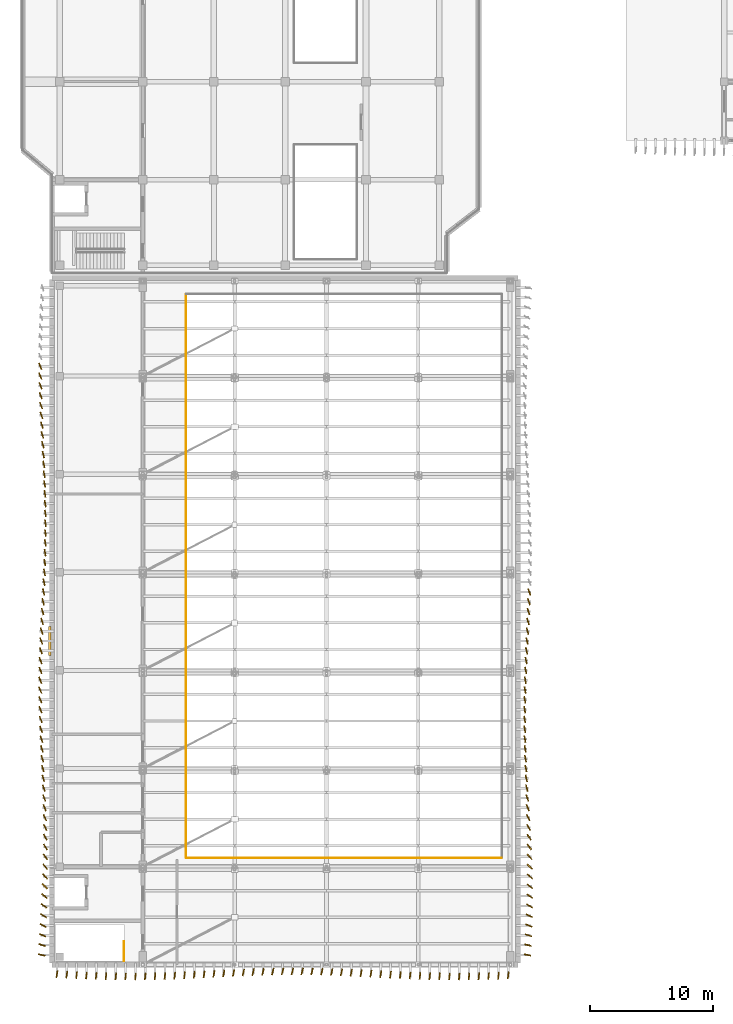
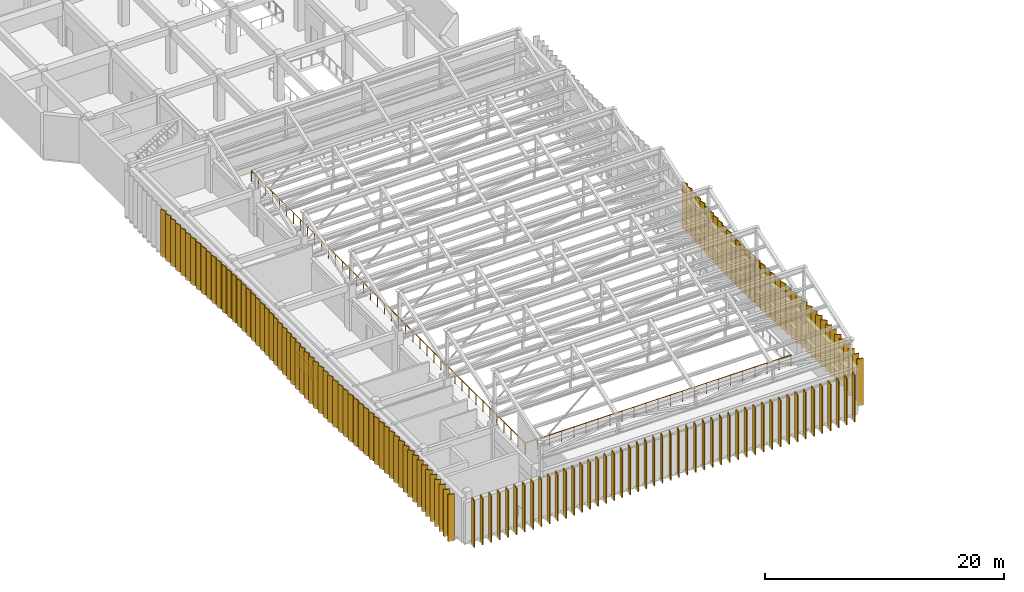
# One storey, part 65 of 76: 146 coverings, 3 railings, 1 shading device.
"""IFC4 building model written with IfcOpenShell, lengths in metres."""

from ifc_helpers import new_model, si_unit, direction, frame, origin, origin_2d, place, context, subcontext, project, spatial, rectangle, circle, extrude, material, layer, layer_set, type_object, element, save


model = new_model("IFC4")

# Units and contexts
model_context = context("Model", 3, precision=1e-05, world=origin(), true_north=direction((0.0, 1.0)))
body_context = subcontext(model_context, "Body", "Model", "MODEL_VIEW")
ifc_project = project(units=[si_unit("LENGTHUNIT", "METRE"), si_unit("AREAUNIT", "SQUARE_METRE"), si_unit("VOLUMEUNIT", "CUBIC_METRE"), si_unit("PLANEANGLEUNIT", "RADIAN"), si_unit("MASSUNIT", "GRAM", prefix="KILO")], contexts=[model_context])

# Site, building, storey
site_placement = place(None, origin())
site = spatial("IfcSite", under=ifc_project, at=site_placement, CompositionType="ELEMENT")
building_placement = place(site_placement, origin())
building = spatial("IfcBuilding", under=site, at=building_placement, Name="Cinchona Park Media Centre", CompositionType="ELEMENT")
storey_placement = place(building_placement, frame((0.0, 0.0, 15.60009765625)))
storey = spatial("IfcBuildingStorey", under=building, at=storey_placement, Name="L03", CompositionType="ELEMENT", Elevation=15.60009765625)

# Coverings
ifc_material_1 = material(Name="Anodised Storm-Resistant Aluminium Fin", Category="aluminium")
ifc_layer = layer(ifc_material_1, 0.090087890625)
ifc_layer_set = layer_set([ifc_layer], Name="Anodised Storm-Resistant Aluminium Fin")
covering_type = type_object("IfcCoveringType", Name="CLADDING-FIN01", PredefinedType="CLADDING", material=ifc_layer_set)
for number, where, z_axis, x_axis, name in (
    (1, (7.0400390625, 56.39990234375, 0.0), (0.0, 0.0, 1.0), (0.374444763601, -0.927249221629, 0.0), "Twisting Vertical Facade Fin L03"),
    (2, (7.0458984375, 55.60009765625, 0.0), (0.0, 0.0, 1.0), (0.37136783555, -0.928485826881, 0.0), "Twisting Vertical Facade Fin L03"),
    (3, (7.05908203125, 54.800048828125, 0.0), (0.0, 0.0, 1.0), (0.364389234658, -0.931246737264, 0.0), "Twisting Vertical Facade Fin L03"),
    (4, (7.0791015625, 54.0, 0.0), (0.0, 0.0, 1.0), (0.353474843779, -0.93544403083, 0.0), "Twisting Vertical Facade Fin L03"),
    (5, (7.10498046875, 53.199951171875, 0.0), (0.0, 0.0, 1.0), (0.339230517808, -0.940703277228, 0.0), "Twisting Vertical Facade Fin L03"),
    (6, (7.135986328125, 52.39990234375, 0.0), (0.0, 0.0, 1.0), (0.321935232675, -0.946761694389, 0.0), "Twisting Vertical Facade Fin L03"),
    (7, (7.172119140625, 51.60009765625, 0.0), (0.0, 0.0, 1.0), (0.30236989075, -0.953190667793, 0.0), "Twisting Vertical Facade Fin L03"),
    (8, (7.2099609375, 50.800048828125, 0.0), (0.0, 0.0, 1.0), (0.281001727065, -0.959707262339, 0.0), "Twisting Vertical Facade Fin L03"),
    (9, (7.25, 50.0, 0.0), (0.0, 0.0, 1.0), (0.258819045103, -0.965925826289, 0.0), "Twisting Vertical Facade Fin L03"),
    (10, (7.2900390625, 49.199951171875, 0.0), (0.0, 0.0, 1.0), (0.236498997024, -0.971631732915, 0.0), "Twisting Vertical Facade Fin L03"),
    (11, (7.327880859375, 48.39990234375, 0.0), (0.0, 0.0, 1.0), (0.214735327167, -0.976672278334, 0.0), "Twisting Vertical Facade Fin L03"),
    (12, (7.364013671875, 47.60009765625, 0.0), (0.0, 0.0, 1.0), (0.194576757325, -0.980887295008, 0.0), "Twisting Vertical Facade Fin L03"),
    (13, (7.39501953125, 46.800048828125, 0.0), (0.0, 0.0, 1.0), (0.176569392453, -0.984288194407, 0.0), "Twisting Vertical Facade Fin L03"),
    (14, (7.4208984375, 46.0, 0.0), (0.0, 0.0, 1.0), (0.161603821103, -0.986855716407, 0.0), "Twisting Vertical Facade Fin L03"),
    (15, (7.44091796875, 45.199951171875, 0.0), (0.0, 0.0, 1.0), (0.150053034553, -0.988677948991, 0.0), "Twisting Vertical Facade Fin L03"),
    (16, (7.4541015625, 44.39990234375, 0.0), (0.0, 0.0, 1.0), (0.142628933706, -0.989776230908, 0.0), "Twisting Vertical Facade Fin L03"),
    (17, (7.4599609375, 43.60009765625, 0.0), (0.0, 0.0, 1.0), (0.139345933222, -0.990243763371, 0.0), "Twisting Vertical Facade Fin L03"),
    (18, (7.4580078125, 42.800048828125, 0.0), (0.0, 0.0, 1.0), (0.140382837472, -0.990097297715, 0.0), "Twisting Vertical Facade Fin L03"),
    (19, (7.447998046875, 42.0, 0.0), (0.0, 0.0, 1.0), (0.145737698481, -0.989323265289, 0.0), "Twisting Vertical Facade Fin L03"),
    (20, (7.431884765625, 41.199951171875, 0.0), (0.0, 0.0, 1.0), (0.155400074643, -0.987851616793, 0.0), "Twisting Vertical Facade Fin L03"),
    (21, (7.408935546875, 40.39990234375, 0.0), (0.0, 0.0, 1.0), (0.168661414708, -0.985674047132, 0.0), "Twisting Vertical Facade Fin L03"),
    (22, (7.3798828125, 39.60009765625, 0.0), (0.0, 0.0, 1.0), (0.185152095101, -0.982709876657, 0.0), "Twisting Vertical Facade Fin L03"),
    (23, (7.345947265625, 38.800048828125, 0.0), (0.0, 0.0, 1.0), (0.204325204139, -0.978903065147, 0.0), "Twisting Vertical Facade Fin L03"),
    (24, (7.30908203125, 38.0, 0.0), (0.0, 0.0, 1.0), (0.225461202458, -0.974252147129, 0.0), "Twisting Vertical Facade Fin L03"),
    (25, (7.27001953125, 37.199951171875, 0.0), (0.0, 0.0, 1.0), (0.247506354292, -0.968886270202, 0.0), "Twisting Vertical Facade Fin L03"),
    (26, (7.22998046875, 36.39990234375, 0.0), (0.0, 0.0, 1.0), (0.270096344686, -0.962833300518, 0.0), "Twisting Vertical Facade Fin L03"),
    (27, (7.19091796875, 35.60009765625, 0.0), (0.0, 0.0, 1.0), (0.291870944669, -0.956457710334, 0.0), "Twisting Vertical Facade Fin L03"),
    (28, (7.154052734375, 34.800048828125, 0.0), (0.0, 0.0, 1.0), (0.312500715155, -0.949917524329, 0.0), "Twisting Vertical Facade Fin L03"),
    (29, (7.1201171875, 34.0, 0.0), (0.0, 0.0, 1.0), (0.331008520407, -0.943627765286, 0.0), "Twisting Vertical Facade Fin L03"),
    (30, (7.091064453125, 33.199951171875, 0.0), (0.0, 0.0, 1.0), (0.346771953791, -0.937949472021, 0.0), "Twisting Vertical Facade Fin L03"),
    (31, (7.068115234375, 32.39990234375, 0.0), (0.0, 0.0, 1.0), (0.359345396006, -0.933204632634, 0.0), "Twisting Vertical Facade Fin L03"),
    (32, (7.052001953125, 31.60009765625, 0.0), (0.0, 0.0, 1.0), (0.36844908347, -0.929647929536, 0.0), "Twisting Vertical Facade Fin L03"),
    (33, (7.0419921875, 30.800048828125, 0.0), (0.0, 0.0, 1.0), (0.373473545352, -0.927640830776, 0.0), "Twisting Vertical Facade Fin L03"),
    (34, (7.0400390625, 30.0, 0.0), (0.0, 0.0, 1.0), (0.374444763601, -0.927249221629, 0.0), "Twisting Vertical Facade Fin L03"),
    (35, (7.0458984375, 29.199951171875, 0.0), (0.0, 0.0, 1.0), (0.37136783555, -0.928485826881, 0.0), "Twisting Vertical Facade Fin L03"),
    (36, (7.05908203125, 28.39990234375, 0.0), (0.0, 0.0, 1.0), (0.364389234658, -0.931246737264, 0.0), "Twisting Vertical Facade Fin L03"),
    (37, (7.0791015625, 27.60009765625, 0.0), (0.0, 0.0, 1.0), (0.353474843779, -0.93544403083, 0.0), "Twisting Vertical Facade Fin L03"),
    (38, (7.10498046875, 26.800048828125, 0.0), (0.0, 0.0, 1.0), (0.339230517808, -0.940703277228, 0.0), "Twisting Vertical Facade Fin L03"),
    (39, (7.135986328125, 26.0, 0.0), (0.0, 0.0, 1.0), (0.321935232675, -0.946761694389, 0.0), "Twisting Vertical Facade Fin L03"),
    (40, (7.172119140625, 25.199951171875, 0.0), (0.0, 0.0, 1.0), (0.30236989075, -0.953190667793, 0.0), "Twisting Vertical Facade Fin L03"),
    (41, (7.2099609375, 24.39990234375, 0.0), (0.0, 0.0, 1.0), (0.281001727065, -0.959707262339, 0.0), "Twisting Vertical Facade Fin L03"),
    (42, (7.25, 23.60009765625, 0.0), (0.0, 0.0, 1.0), (0.258819045103, -0.965925826289, 0.0), "Twisting Vertical Facade Fin L03"),
    (43, (7.2900390625, 22.800048828125, 0.0), (0.0, 0.0, 1.0), (0.277985336053, -0.960585317887, 0.0), "Twisting Vertical Facade Fin L03"),
    (44, (7.327880859375, 22.0, 0.0), (0.0, 0.0, 1.0), (0.306692204733, -0.951808747363, 0.0), "Twisting Vertical Facade Fin L03"),
    (45, (7.364013671875, 21.199951171875, 0.0), (0.0, 0.0, 1.0), (0.336766602676, -0.941588155895, 0.0), "Twisting Vertical Facade Fin L03"),
    (46, (7.39501953125, 20.39990234375, 0.0), (0.0, 0.0, 1.0), (0.368773569362, -0.929519259908, 0.0), "Twisting Vertical Facade Fin L03"),
    (47, (7.4208984375, 19.60009765625, 0.0), (0.0, 0.0, 1.0), (0.403066169295, -0.915170838243, 0.0), "Twisting Vertical Facade Fin L03"),
    (48, (7.44091796875, 18.800048828125, 0.0), (0.0, 0.0, 1.0), (0.439939169856, -0.898027575761, 0.0), "Twisting Vertical Facade Fin L03"),
    (49, (7.4541015625, 18.0, 0.0), (0.0, 0.0, 1.0), (0.479764158979, -0.877397487892, 0.0), "Twisting Vertical Facade Fin L03"),
    (50, (7.4599609375, 17.199951171875, 0.0), (0.0, 0.0, 1.0), (0.522200905326, -0.85282249881, 0.0), "Twisting Vertical Facade Fin L03"),
    (51, (7.4580078125, 16.39990234375, 0.0), (0.0, 0.0, 1.0), (0.567125206934, -0.823631592194, 0.0), "Twisting Vertical Facade Fin L03"),
    (52, (7.447998046875, 15.60009765625, 0.0), (0.0, 0.0, 1.0), (0.613871952452, -0.789405615633, 0.0), "Twisting Vertical Facade Fin L03"),
    (53, (7.431884765625, 14.800048828125, 0.0), (0.0, 0.0, 1.0), (0.661573663187, -0.749880182547, 0.0), "Twisting Vertical Facade Fin L03"),
    (54, (7.408935546875, 14.0, 0.0), (0.0, 0.0, 1.0), (0.70944774386, -0.704758042687, 0.0), "Twisting Vertical Facade Fin L03"),
    (55, (7.3798828125, 13.199951171875, 0.0), (0.0, 0.0, 1.0), (0.756538697576, -0.653948926958, 0.0), "Twisting Vertical Facade Fin L03"),
    (56, (7.345947265625, 12.39990234375, 0.0), (0.0, 0.0, 1.0), (0.801566984871, -0.597904983058, 0.0), "Twisting Vertical Facade Fin L03"),
    (57, (7.30908203125, 11.60009765625, 0.0), (0.0, 0.0, 1.0), (0.843578947371, -0.537005176466, 0.0), "Twisting Vertical Facade Fin L03"),
    (58, (7.27001953125, 10.800048828125, 0.0), (0.0, 0.0, 1.0), (0.881550758248, -0.472089250705, 0.0), "Twisting Vertical Facade Fin L03"),
    (59, (7.22998046875, 10.0, 0.0), (0.0, 0.0, 1.0), (0.914677717139, -0.404183960308, 0.0), "Twisting Vertical Facade Fin L03"),
    (60, (7.19091796875, 9.199951171875, 0.0), (0.0, 0.0, 1.0), (0.942466581022, -0.334300379384, 0.0), "Twisting Vertical Facade Fin L03"),
    (61, (7.154052734375, 8.39990234375, 0.0), (0.0, 0.0, 1.0), (0.964603458302, -0.263704698919, 0.0), "Twisting Vertical Facade Fin L03"),
    (62, (8.39990234375, 6.830078125, 0.0), (0.0, 0.0, 1.0), (0.182578735093, 0.983191235463, 0.0), "Twisting Vertical Facade Fin L03"),
    (63, (9.199951171875, 6.791015625, 0.0), (0.0, 0.0, 1.0), (0.166596655404, 0.98602512869, 0.0), "Twisting Vertical Facade Fin L03"),
    (64, (10.0, 6.75390625, 0.0), (0.0, 0.0, 1.0), (0.151433342672, 0.98846747176, 0.0), "Twisting Vertical Facade Fin L03"),
    (65, (10.800048828125, 6.719970703125, 0.0), (0.0, 0.0, 1.0), (0.137617420457, 0.990485459553, 0.0), "Twisting Vertical Facade Fin L03"),
    (66, (11.60009765625, 6.69091796875, 0.0), (0.0, 0.0, 1.0), (0.125679539283, 0.992070891321, 0.0), "Twisting Vertical Facade Fin L03"),
    (67, (12.39990234375, 6.66796875, 0.0), (0.0, 0.0, 1.0), (0.116150698194, 0.993231602049, 0.0), "Twisting Vertical Facade Fin L03"),
    (68, (13.199951171875, 6.652099609375, 0.0), (0.0, 0.0, 1.0), (0.109213859333, 0.994018275953, 0.0), "Twisting Vertical Facade Fin L03"),
    (69, (14.0, 6.64208984375, 0.0), (0.0, 0.0, 1.0), (0.105396307434, 0.994430298402, 0.0), "Twisting Vertical Facade Fin L03"),
    (70, (14.800048828125, 6.639892578125, 0.0), (0.0, 0.0, 1.0), (0.10470203849, 0.994503636562, 0.0), "Twisting Vertical Facade Fin L03"),
    (71, (15.60009765625, 6.64599609375, 0.0), (0.0, 0.0, 1.0), (0.106958224224, 0.994263515508, 0.0), "Twisting Vertical Facade Fin L03"),
    (72, (16.39990234375, 6.658935546875, 0.0), (0.0, 0.0, 1.0), (0.112336115762, 0.99367026578, 0.0), "Twisting Vertical Facade Fin L03"),
    (73, (17.199951171875, 6.678955078125, 0.0), (0.0, 0.0, 1.0), (0.120656628871, 0.992694302346, 0.0), "Twisting Vertical Facade Fin L03"),
    (74, (18.0, 6.705078125, 0.0), (0.0, 0.0, 1.0), (0.131391341269, 0.991330578283, 0.0), "Twisting Vertical Facade Fin L03"),
    (75, (18.800048828125, 6.736083984375, 0.0), (0.0, 0.0, 1.0), (0.144356201001, 0.989525789069, 0.0), "Twisting Vertical Facade Fin L03"),
    (76, (19.60009765625, 6.77197265625, 0.0), (0.0, 0.0, 1.0), (0.158847373537, 0.987303150973, 0.0), "Twisting Vertical Facade Fin L03"),
    (77, (20.39990234375, 6.81005859375, 0.0), (0.0, 0.0, 1.0), (0.174507518327, 0.984655841422, 0.0), "Twisting Vertical Facade Fin L03"),
    (78, (21.199951171875, 6.85009765625, 0.0), (0.0, 0.0, 1.0), (0.190808995377, 0.981627183448, 0.0), "Twisting Vertical Facade Fin L03"),
    (79, (22.0, 6.889892578125, 0.0), (0.0, 0.0, 1.0), (0.207058016949, 0.978328665438, 0.0), "Twisting Vertical Facade Fin L03"),
    (80, (22.800048828125, 6.927978515625, 0.0), (0.0, 0.0, 1.0), (0.222569549971, 0.974916814618, 0.0), "Twisting Vertical Facade Fin L03"),
    (81, (23.60009765625, 6.964111328125, 0.0), (0.0, 0.0, 1.0), (0.236838146066, 0.971549119998, 0.0), "Twisting Vertical Facade Fin L03"),
    (82, (24.39990234375, 6.9951171875, 0.0), (0.0, 0.0, 1.0), (0.249535040626, 0.96836576948, 0.0), "Twisting Vertical Facade Fin L03"),
    (83, (25.199951171875, 7.02099609375, 0.0), (0.0, 0.0, 1.0), (0.259998952669, 0.96560889837, 0.0), "Twisting Vertical Facade Fin L03"),
    (84, (26.0, 7.041015625, 0.0), (0.0, 0.0, 1.0), (0.268079200424, 0.963396876837, 0.0), "Twisting Vertical Facade Fin L03"),
    (85, (26.800048828125, 7.053955078125, 0.0), (0.0, 0.0, 1.0), (0.273287729889, 0.961932334778, 0.0), "Twisting Vertical Facade Fin L03"),
    (86, (27.60009765625, 7.06005859375, 0.0), (0.0, 0.0, 1.0), (0.275469579804, 0.961309789091, 0.0), "Twisting Vertical Facade Fin L03"),
    (87, (28.39990234375, 7.05810546875, 0.0), (0.0, 0.0, 1.0), (0.27479839189, 0.961501868857, 0.0), "Twisting Vertical Facade Fin L03"),
    (88, (29.199951171875, 7.048095703125, 0.0), (0.0, 0.0, 1.0), (0.271104473079, 0.962549928407, 0.0), "Twisting Vertical Facade Fin L03"),
    (89, (30.0, 7.031982421875, 0.0), (0.0, 0.0, 1.0), (0.264378054854, 0.964419122639, 0.0), "Twisting Vertical Facade Fin L03"),
    (90, (30.800048828125, 7.009033203125, 0.0), (0.0, 0.0, 1.0), (0.255108257352, 0.966912497091, 0.0), "Twisting Vertical Facade Fin L03"),
    (91, (31.60009765625, 6.97998046875, 0.0), (0.0, 0.0, 1.0), (0.243445733477, 0.969914519353, 0.0), "Twisting Vertical Facade Fin L03"),
    (92, (32.39990234375, 6.946044921875, 0.0), (0.0, 0.0, 1.0), (0.22987988193, 0.973219009208, 0.0), "Twisting Vertical Facade Fin L03"),
    (93, (33.199951171875, 6.908935546875, 0.0), (0.0, 0.0, 1.0), (0.214905785365, 0.976634785074, 0.0), "Twisting Vertical Facade Fin L03"),
    (94, (34.0, 6.8701171875, 0.0), (0.0, 0.0, 1.0), (0.199025864028, 0.979994237457, 0.0), "Twisting Vertical Facade Fin L03"),
    (95, (34.800048828125, 6.830078125, 0.0), (0.0, 0.0, 1.0), (0.182578735093, 0.983191235463, 0.0), "Twisting Vertical Facade Fin L03"),
    (96, (35.60009765625, 6.791015625, 0.0), (0.0, 0.0, 1.0), (0.166596655404, 0.98602512869, 0.0), "Twisting Vertical Facade Fin L03"),
    (97, (36.39990234375, 6.75390625, 0.0), (0.0, 0.0, 1.0), (0.151433342672, 0.98846747176, 0.0), "Twisting Vertical Facade Fin L03"),
    (98, (37.199951171875, 6.719970703125, 0.0), (0.0, 0.0, 1.0), (0.137617420457, 0.990485459553, 0.0), "Twisting Vertical Facade Fin L03"),
    (99, (38.0, 6.69091796875, 0.0), (0.0, 0.0, 1.0), (0.125679539283, 0.992070891321, 0.0), "Twisting Vertical Facade Fin L03"),
    (100, (38.800048828125, 6.66796875, 0.0), (0.0, 0.0, 1.0), (0.116150698194, 0.993231602049, 0.0), "Twisting Vertical Facade Fin L03"),
    (101, (39.60009765625, 6.652099609375, 0.0), (0.0, 0.0, 1.0), (0.109213859333, 0.994018275953, 0.0), "Twisting Vertical Facade Fin L03"),
    (102, (40.39990234375, 6.64208984375, 0.0), (0.0, 0.0, 1.0), (0.105396307434, 0.994430298402, 0.0), "Twisting Vertical Facade Fin L03"),
    (103, (41.199951171875, 6.639892578125, 0.0), (0.0, 0.0, 1.0), (0.10470203849, 0.994503636562, 0.0), "Twisting Vertical Facade Fin L03"),
    (104, (42.0, 6.64599609375, 0.0), (0.0, 0.0, 1.0), (0.106958224224, 0.994263515508, 0.0), "Twisting Vertical Facade Fin L03"),
    (105, (42.800048828125, 6.658935546875, 0.0), (0.0, 0.0, 1.0), (0.112336115762, 0.99367026578, 0.0), "Twisting Vertical Facade Fin L03"),
    (106, (43.60009765625, 6.678955078125, 0.0), (0.0, 0.0, 1.0), (0.120656628871, 0.992694302346, 0.0), "Twisting Vertical Facade Fin L03"),
    (107, (44.39990234375, 6.705078125, 0.0), (0.0, 0.0, 1.0), (0.131391341269, 0.991330578283, 0.0), "Twisting Vertical Facade Fin L03"),
    (108, (45.199951171875, 6.736083984375, 0.0), (0.0, 0.0, 1.0), (0.144356201001, 0.989525789069, 0.0), "Twisting Vertical Facade Fin L03"),
    (109, (46.77001953125, 8.39990234375, 0.0), (0.0, 0.0, 1.0), (-0.978616819224, 0.205691811048, 0.0), "Twisting Vertical Facade Fin L03"),
    (110, (46.80908203125, 9.199951171875, 0.0), (0.0, 0.0, 1.0), (-0.963068637394, 0.269256011385, 0.0), "Twisting Vertical Facade Fin L03"),
    (111, (46.845947265625, 10.0, 0.0), (0.0, 0.0, 1.0), (-0.943454320287, 0.331502557353, 0.0), "Twisting Vertical Facade Fin L03"),
    (112, (46.8798828125, 10.800048828125, 0.0), (0.0, 0.0, 1.0), (-0.919821497322, 0.392337116604, 0.0), "Twisting Vertical Facade Fin L03"),
    (113, (46.908935546875, 11.60009765625, 0.0), (0.0, 0.0, 1.0), (-0.89219201375, 0.451656296979, 0.0), "Twisting Vertical Facade Fin L03"),
    (114, (46.931884765625, 12.39990234375, 0.0), (0.0, 0.0, 1.0), (-0.860830858381, 0.508891180174, 0.0), "Twisting Vertical Facade Fin L03"),
    (115, (46.947998046875, 13.199951171875, 0.0), (0.0, 0.0, 1.0), (-0.825704677814, 0.56410263697, 0.0), "Twisting Vertical Facade Fin L03"),
    (116, (46.9580078125, 14.0, 0.0), (0.0, 0.0, 1.0), (-0.787150360167, 0.616761145412, 0.0), "Twisting Vertical Facade Fin L03"),
    (117, (46.9599609375, 14.800048828125, 0.0), (0.0, 0.0, 1.0), (-0.745243290547, 0.66679264985, 0.0), "Twisting Vertical Facade Fin L03"),
    (118, (46.9541015625, 15.60009765625, 0.0), (0.0, 0.0, 1.0), (-0.700037341608, 0.714106238843, 0.0), "Twisting Vertical Facade Fin L03"),
    (119, (46.94091796875, 16.39990234375, 0.0), (0.0, 0.0, 1.0), (-0.651966074496, 0.758248137292, 0.0), "Twisting Vertical Facade Fin L03"),
    (120, (46.9208984375, 17.199951171875, 0.0), (0.0, 0.0, 1.0), (-0.600978364173, 0.79926529125, 0.0), "Twisting Vertical Facade Fin L03"),
    (121, (46.89501953125, 18.0, 0.0), (0.0, 0.0, 1.0), (-0.547563223493, 0.836764313459, 0.0), "Twisting Vertical Facade Fin L03"),
    (122, (46.864013671875, 18.800048828125, 0.0), (0.0, 0.0, 1.0), (-0.49181581725, 0.870699260309, 0.0), "Twisting Vertical Facade Fin L03"),
    (123, (46.827880859375, 19.60009765625, 0.0), (0.0, 0.0, 1.0), (-0.43381634559, 0.90100131981, 0.0), "Twisting Vertical Facade Fin L03"),
    (124, (46.7900390625, 20.39990234375, 0.0), (0.0, 0.0, 1.0), (-0.374121069757, 0.927379871015, 0.0), "Twisting Vertical Facade Fin L03"),
    (125, (46.75, 21.199951171875, 0.0), (0.0, 0.0, 1.0), (-0.312666502279, 0.949862968197, 0.0), "Twisting Vertical Facade Fin L03"),
    (126, (46.7099609375, 22.0, 0.0), (0.0, 0.0, 1.0), (-0.239550296042, 0.970883955819, 0.0), "Twisting Vertical Facade Fin L03"),
    (127, (46.672119140625, 22.800048828125, 0.0), (0.0, 0.0, 1.0), (-0.221037880265, 0.975265223151, 0.0), "Twisting Vertical Facade Fin L03"),
    (128, (46.635986328125, 23.60009765625, 0.0), (0.0, 0.0, 1.0), (-0.203812623708, 0.979009915383, 0.0), "Twisting Vertical Facade Fin L03"),
    (129, (46.60498046875, 24.39990234375, 0.0), (0.0, 0.0, 1.0), (-0.188409860458, 0.982090486912, 0.0), "Twisting Vertical Facade Fin L03"),
    (130, (46.5791015625, 25.199951171875, 0.0), (0.0, 0.0, 1.0), (-0.17553855164, 0.984472557712, 0.0), "Twisting Vertical Facade Fin L03"),
    (131, (46.55908203125, 26.0, 0.0), (0.0, 0.0, 1.0), (-0.165736122828, 0.986170136229, 0.0), "Twisting Vertical Facade Fin L03"),
    (132, (46.5458984375, 26.800048828125, 0.0), (0.0, 0.0, 1.0), (-0.15936430246, 0.987219843349, 0.0), "Twisting Vertical Facade Fin L03"),
    (133, (46.5400390625, 27.60009765625, 0.0), (0.0, 0.0, 1.0), (-0.156606846792, 0.987661022587, 0.0), "Twisting Vertical Facade Fin L03"),
    (134, (46.5419921875, 28.39990234375, 0.0), (0.0, 0.0, 1.0), (-0.157468683888, 0.987523981276, 0.0), "Twisting Vertical Facade Fin L03"),
    (135, (46.552001953125, 29.199951171875, 0.0), (0.0, 0.0, 1.0), (-0.162120515372, 0.986770965572, 0.0), "Twisting Vertical Facade Fin L03"),
    (136, (46.568115234375, 30.0, 0.0), (0.0, 0.0, 1.0), (-0.170209499166, 0.985407898483, 0.0), "Twisting Vertical Facade Fin L03"),
    (137, (46.591064453125, 30.800048828125, 0.0), (0.0, 0.0, 1.0), (-0.18172066947, 0.983350191075, 0.0), "Twisting Vertical Facade Fin L03"),
    (138, (46.6201171875, 31.60009765625, 0.0), (0.0, 0.0, 1.0), (-0.195774991714, 0.980648842665, 0.0), "Twisting Vertical Facade Fin L03"),
    (139, (46.654052734375, 32.39990234375, 0.0), (0.0, 0.0, 1.0), (-0.212177672156, 0.977231106463, 0.0), "Twisting Vertical Facade Fin L03"),
    (140, (46.69091796875, 33.199951171875, 0.0), (0.0, 0.0, 1.0), (-0.230219585439, 0.973138706701, 0.0), "Twisting Vertical Facade Fin L03"),
    (141, (46.72998046875, 34.0, 0.0), (0.0, 0.0, 1.0), (-0.249197002009, 0.968452814643, 0.0), "Twisting Vertical Facade Fin L03"),
    (142, (46.77001953125, 34.800048828125, 0.0), (0.0, 0.0, 1.0), (-0.268415473035, 0.963303240852, 0.0), "Twisting Vertical Facade Fin L03"),
    (143, (46.80908203125, 35.60009765625, 0.0), (0.0, 0.0, 1.0), (-0.287193343912, 0.957872634129, 0.0), "Twisting Vertical Facade Fin L03"),
    (144, (46.845947265625, 36.39990234375, 0.0), (0.0, 0.0, 1.0), (-0.304864299028, 0.952395799643, 0.0), "Twisting Vertical Facade Fin L03"),
    (145, (46.8798828125, 37.199951171875, 0.0), (0.0, 0.0, 1.0), (-0.320778305082, 0.947154305796, 0.0), "Twisting Vertical Facade Fin L03"),
    (146, (46.908935546875, 38.0, 0.0), (0.0, 0.0, 1.0), (-0.334300379384, 0.942466581022, 0.0), "Twisting Vertical Facade Fin L03"),
):
    element("IfcCovering", number, at=place(storey_placement, frame(where, z_axis=z_axis, x_axis=x_axis)), inside=storey, type_object=covering_type, Name=name, PredefinedType="CLADDING", context=body_context, shape_type="SweptSolid", body=[
        extrude(rectangle(XDim=0.56005859375, YDim=0.090087890625, at=origin_2d()), origin(), (0.0, 0.0, 1.0), 4.800048828125),
    ])

# Railings
ifc_material_2 = material(Name="Galvanised Painted Steel Balustrade", Category="steel")
railing_type_1 = type_object("IfcRailingType", Name="RAILING-GR01", PredefinedType="BALUSTRADE", material=ifc_material_2)
railing_1_placement = place(storey_placement, frame((18.951904296875, 16.320068359375, 0.0)))
element("IfcRailing", 147, at=railing_1_placement, inside=storey, type_object=railing_type_1, Name="Atrium Balustrade GR01 VOID-L03-SAWV1 S1", PredefinedType="BALUSTRADE", context=body_context, shape_type="SweptSolid", body=[
    extrude(circle(Radius=0.02392578125, at=origin_2d()), frame((0.0, 0.0, 1.076171875), z_axis=(1.0, 0.0, 0.0), x_axis=(0.0, 1.0, 0.0)), (0.0, 0.0, 1.0), 25.696044921875),
    extrude(circle(Radius=0.02099609375, at=origin_2d()), origin(), (0.0, 0.0, 1.0), 1.052001953125),
    extrude(circle(Radius=0.02099609375, at=origin_2d()), frame((1.16796875, 0.0, 0.0)), (0.0, 0.0, 1.0), 1.052001953125),
    extrude(circle(Radius=0.02099609375, at=origin_2d()), frame((2.3359375, 0.0, 0.0)), (0.0, 0.0, 1.0), 1.052001953125),
    extrude(circle(Radius=0.02099609375, at=origin_2d()), frame((3.50390625, 0.0, 0.0)), (0.0, 0.0, 1.0), 1.052001953125),
    extrude(circle(Radius=0.02099609375, at=origin_2d()), frame((4.672119140625, 0.0, 0.0)), (0.0, 0.0, 1.0), 1.052001953125),
    extrude(circle(Radius=0.02099609375, at=origin_2d()), frame((5.840087890625, 0.0, 0.0)), (0.0, 0.0, 1.0), 1.052001953125),
    extrude(circle(Radius=0.02099609375, at=origin_2d()), frame((7.008056640625, 0.0, 0.0)), (0.0, 0.0, 1.0), 1.052001953125),
    extrude(circle(Radius=0.02099609375, at=origin_2d()), frame((8.176025390625, 0.0, 0.0)), (0.0, 0.0, 1.0), 1.052001953125),
    extrude(circle(Radius=0.02099609375, at=origin_2d()), frame((9.343994140625, 0.0, 0.0)), (0.0, 0.0, 1.0), 1.052001953125),
    extrude(circle(Radius=0.02099609375, at=origin_2d()), frame((10.511962890625, 0.0, 0.0)), (0.0, 0.0, 1.0), 1.052001953125),
    extrude(circle(Radius=0.02099609375, at=origin_2d()), frame((11.679931640625, 0.0, 0.0)), (0.0, 0.0, 1.0), 1.052001953125),
    extrude(circle(Radius=0.02099609375, at=origin_2d()), frame((12.84814453125, 0.0, 0.0)), (0.0, 0.0, 1.0), 1.052001953125),
    extrude(circle(Radius=0.02099609375, at=origin_2d()), frame((14.01611328125, 0.0, 0.0)), (0.0, 0.0, 1.0), 1.052001953125),
    extrude(circle(Radius=0.02099609375, at=origin_2d()), frame((15.18408203125, 0.0, 0.0)), (0.0, 0.0, 1.0), 1.052001953125),
    extrude(circle(Radius=0.02099609375, at=origin_2d()), frame((16.35205078125, 0.0, 0.0)), (0.0, 0.0, 1.0), 1.052001953125),
    extrude(circle(Radius=0.02099609375, at=origin_2d()), frame((17.52001953125, 0.0, 0.0)), (0.0, 0.0, 1.0), 1.052001953125),
    extrude(circle(Radius=0.02099609375, at=origin_2d()), frame((18.68798828125, 0.0, 0.0)), (0.0, 0.0, 1.0), 1.052001953125),
    extrude(circle(Radius=0.02099609375, at=origin_2d()), frame((19.85595703125, 0.0, 0.0)), (0.0, 0.0, 1.0), 1.052001953125),
    extrude(circle(Radius=0.02099609375, at=origin_2d()), frame((21.02392578125, 0.0, 0.0)), (0.0, 0.0, 1.0), 1.052001953125),
    extrude(circle(Radius=0.02099609375, at=origin_2d()), frame((22.192138671875, 0.0, 0.0)), (0.0, 0.0, 1.0), 1.052001953125),
    extrude(circle(Radius=0.02099609375, at=origin_2d()), frame((23.360107421875, 0.0, 0.0)), (0.0, 0.0, 1.0), 1.052001953125),
    extrude(circle(Radius=0.02099609375, at=origin_2d()), frame((24.528076171875, 0.0, 0.0)), (0.0, 0.0, 1.0), 1.052001953125),
    extrude(circle(Radius=0.02099609375, at=origin_2d()), frame((25.696044921875, 0.0, 0.0)), (0.0, 0.0, 1.0), 1.052001953125),
])
railing_2_placement = place(storey_placement, frame((18.919921875, 62.248046875, 0.0)))
element("IfcRailing", 148, at=railing_2_placement, inside=storey, type_object=railing_type_1, Name="Atrium Balustrade GR01 VOID-L03-SAWV1 S4", PredefinedType="BALUSTRADE", context=body_context, shape_type="SweptSolid", body=[
    extrude(circle(Radius=0.02392578125, at=origin_2d()), frame((0.0, 0.0, 1.076171875), z_axis=(0.0, -1.0, 0.0), x_axis=(1.0, 0.0, 0.0)), (0.0, 0.0, 1.0), 45.89599609375),
    extrude(circle(Radius=0.02099609375, at=origin_2d()), origin(), (0.0, 0.0, 1.0), 1.052001953125),
    extrude(circle(Radius=0.02099609375, at=origin_2d()), frame((0.0, -1.1767578125, 0.0)), (0.0, 0.0, 1.0), 1.052001953125),
    extrude(circle(Radius=0.02099609375, at=origin_2d()), frame((0.0, -2.353759765625, 0.0)), (0.0, 0.0, 1.0), 1.052001953125),
    extrude(circle(Radius=0.02099609375, at=origin_2d()), frame((0.0, -3.530517578125, 0.0)), (0.0, 0.0, 1.0), 1.052001953125),
    extrude(circle(Radius=0.02099609375, at=origin_2d()), frame((0.0, -4.707275390625, 0.0)), (0.0, 0.0, 1.0), 1.052001953125),
    extrude(circle(Radius=0.02099609375, at=origin_2d()), frame((0.0, -5.884033203125, 0.0)), (0.0, 0.0, 1.0), 1.052001953125),
    extrude(circle(Radius=0.02099609375, at=origin_2d()), frame((0.0, -7.06103515625, 0.0)), (0.0, 0.0, 1.0), 1.052001953125),
    extrude(circle(Radius=0.02099609375, at=origin_2d()), frame((0.0, -8.23779296875, 0.0)), (0.0, 0.0, 1.0), 1.052001953125),
    extrude(circle(Radius=0.02099609375, at=origin_2d()), frame((0.0, -9.41455078125, 0.0)), (0.0, 0.0, 1.0), 1.052001953125),
    extrude(circle(Radius=0.02099609375, at=origin_2d()), frame((0.0, -10.59130859375, 0.0)), (0.0, 0.0, 1.0), 1.052001953125),
    extrude(circle(Radius=0.02099609375, at=origin_2d()), frame((0.0, -11.768310546875, 0.0)), (0.0, 0.0, 1.0), 1.052001953125),
    extrude(circle(Radius=0.02099609375, at=origin_2d()), frame((0.0, -12.945068359375, 0.0)), (0.0, 0.0, 1.0), 1.052001953125),
    extrude(circle(Radius=0.02099609375, at=origin_2d()), frame((0.0, -14.121826171875, 0.0)), (0.0, 0.0, 1.0), 1.052001953125),
    extrude(circle(Radius=0.02099609375, at=origin_2d()), frame((0.0, -15.298583984375, 0.0)), (0.0, 0.0, 1.0), 1.052001953125),
    extrude(circle(Radius=0.02099609375, at=origin_2d()), frame((0.0, -16.4755859375, 0.0)), (0.0, 0.0, 1.0), 1.052001953125),
    extrude(circle(Radius=0.02099609375, at=origin_2d()), frame((0.0, -17.65234375, 0.0)), (0.0, 0.0, 1.0), 1.052001953125),
    extrude(circle(Radius=0.02099609375, at=origin_2d()), frame((0.0, -18.8291015625, 0.0)), (0.0, 0.0, 1.0), 1.052001953125),
    extrude(circle(Radius=0.02099609375, at=origin_2d()), frame((0.0, -20.005859375, 0.0)), (0.0, 0.0, 1.0), 1.052001953125),
    extrude(circle(Radius=0.02099609375, at=origin_2d()), frame((0.0, -21.182861328125, 0.0)), (0.0, 0.0, 1.0), 1.052001953125),
    extrude(circle(Radius=0.02099609375, at=origin_2d()), frame((0.0, -22.359619140625, 0.0)), (0.0, 0.0, 1.0), 1.052001953125),
    extrude(circle(Radius=0.02099609375, at=origin_2d()), frame((0.0, -23.536376953125, 0.0)), (0.0, 0.0, 1.0), 1.052001953125),
    extrude(circle(Radius=0.02099609375, at=origin_2d()), frame((0.0, -24.713134765625, 0.0)), (0.0, 0.0, 1.0), 1.052001953125),
    extrude(circle(Radius=0.02099609375, at=origin_2d()), frame((0.0, -25.89013671875, 0.0)), (0.0, 0.0, 1.0), 1.052001953125),
    extrude(circle(Radius=0.02099609375, at=origin_2d()), frame((0.0, -27.06689453125, 0.0)), (0.0, 0.0, 1.0), 1.052001953125),
    extrude(circle(Radius=0.02099609375, at=origin_2d()), frame((0.0, -28.24365234375, 0.0)), (0.0, 0.0, 1.0), 1.052001953125),
    extrude(circle(Radius=0.02099609375, at=origin_2d()), frame((0.0, -29.42041015625, 0.0)), (0.0, 0.0, 1.0), 1.052001953125),
    extrude(circle(Radius=0.02099609375, at=origin_2d()), frame((0.0, -30.597412109375, 0.0)), (0.0, 0.0, 1.0), 1.052001953125),
    extrude(circle(Radius=0.02099609375, at=origin_2d()), frame((0.0, -31.774169921875, 0.0)), (0.0, 0.0, 1.0), 1.052001953125),
    extrude(circle(Radius=0.02099609375, at=origin_2d()), frame((0.0, -32.950927734375, 0.0)), (0.0, 0.0, 1.0), 1.052001953125),
    extrude(circle(Radius=0.02099609375, at=origin_2d()), frame((0.0, -34.127685546875, 0.0)), (0.0, 0.0, 1.0), 1.052001953125),
    extrude(circle(Radius=0.02099609375, at=origin_2d()), frame((0.0, -35.3046875, 0.0)), (0.0, 0.0, 1.0), 1.052001953125),
    extrude(circle(Radius=0.02099609375, at=origin_2d()), frame((0.0, -36.4814453125, 0.0)), (0.0, 0.0, 1.0), 1.052001953125),
    extrude(circle(Radius=0.02099609375, at=origin_2d()), frame((0.0, -37.658203125, 0.0)), (0.0, 0.0, 1.0), 1.052001953125),
    extrude(circle(Radius=0.02099609375, at=origin_2d()), frame((0.0, -38.8349609375, 0.0)), (0.0, 0.0, 1.0), 1.052001953125),
    extrude(circle(Radius=0.02099609375, at=origin_2d()), frame((0.0, -40.011962890625, 0.0)), (0.0, 0.0, 1.0), 1.052001953125),
    extrude(circle(Radius=0.02099609375, at=origin_2d()), frame((0.0, -41.188720703125, 0.0)), (0.0, 0.0, 1.0), 1.052001953125),
    extrude(circle(Radius=0.02099609375, at=origin_2d()), frame((0.0, -42.365478515625, 0.0)), (0.0, 0.0, 1.0), 1.052001953125),
    extrude(circle(Radius=0.02099609375, at=origin_2d()), frame((0.0, -43.542236328125, 0.0)), (0.0, 0.0, 1.0), 1.052001953125),
    extrude(circle(Radius=0.02099609375, at=origin_2d()), frame((0.0, -44.71923828125, 0.0)), (0.0, 0.0, 1.0), 1.052001953125),
    extrude(circle(Radius=0.02099609375, at=origin_2d()), frame((0.0, -45.89599609375, 0.0)), (0.0, 0.0, 1.0), 1.052001953125),
])
ifc_material_3 = material(Name="Painted Steel Stairwell Guardrail", Category="steel")
railing_type_2 = type_object("IfcRailingType", Name="RAILING-GR02", PredefinedType="GUARDRAIL", material=ifc_material_3)
railing_3_placement = place(storey_placement, frame((13.864990234375, 7.919921875, 0.0)))
element("IfcRailing", 149, at=railing_3_placement, inside=storey, type_object=railing_type_2, Name="Stairwell Guardrail GR02 ST6 L03", PredefinedType="GUARDRAIL", context=body_context, shape_type="SweptSolid", body=[
    extrude(circle(Radius=0.02392578125, at=origin_2d()), frame((0.0, 0.0, 1.076171875), z_axis=(0.0, 1.0, 0.0), x_axis=(-1.0, 0.0, 0.0)), (0.0, 0.0, 1.0), 1.56005859375),
    extrude(circle(Radius=0.02099609375, at=origin_2d()), origin(), (0.0, 0.0, 1.0), 1.052001953125),
    extrude(circle(Radius=0.02099609375, at=origin_2d()), frame((0.0, 0.780029296875, 0.0)), (0.0, 0.0, 1.0), 1.052001953125),
    extrude(circle(Radius=0.02099609375, at=origin_2d()), frame((0.0, 1.56005859375, 0.0)), (0.0, 0.0, 1.0), 1.052001953125),
])

# Shading device
ifc_material_4 = material(Name="Hurricane Acoustic Aluminium Storm Louvre", Category="aluminium")
shading_device_type = type_object("IfcShadingDeviceType", Name="SHADING-LOUV01", PredefinedType="JALOUSIE", material=ifc_material_4)
shading_device_placement = place(storey_placement, frame((7.820068359375, 34.0, 1.5), z_axis=(0.0, 0.0, 1.0), x_axis=(0.0, 1.0, 0.0)))
element("IfcShadingDevice", 150, at=shading_device_placement, inside=storey, type_object=shading_device_type, Name="Acoustic Plant Storm Louvre 1", PredefinedType="JALOUSIE", context=body_context, shape_type="SweptSolid", body=[
    extrude(rectangle(XDim=2.39990234375, YDim=0.219970703125, at=origin_2d()), origin(), (0.0, 0.0, 1.0), 1.39990234375),
])

save(model, "model.ifc")
